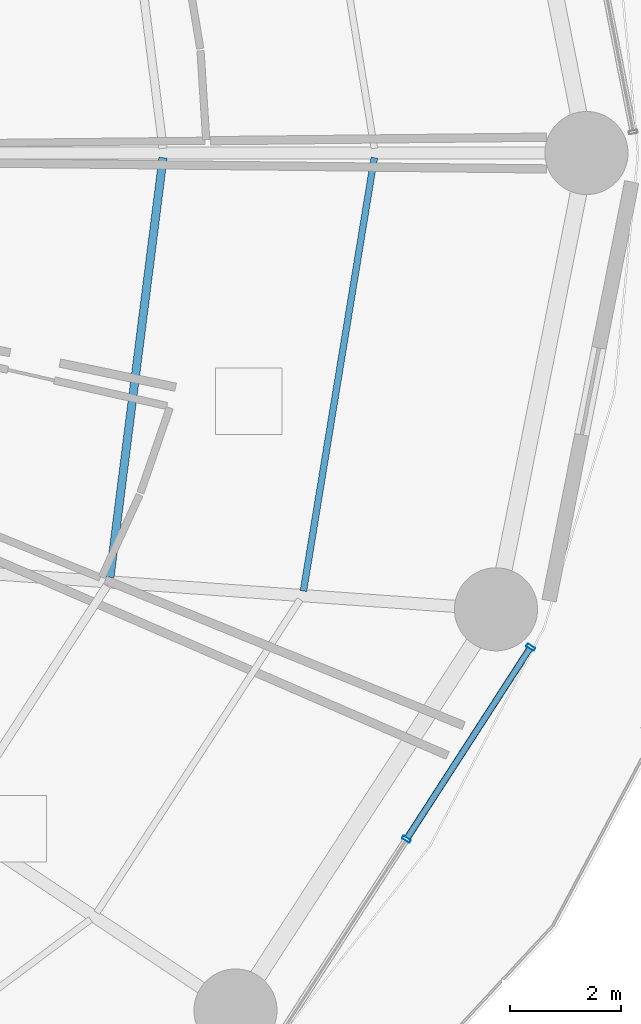
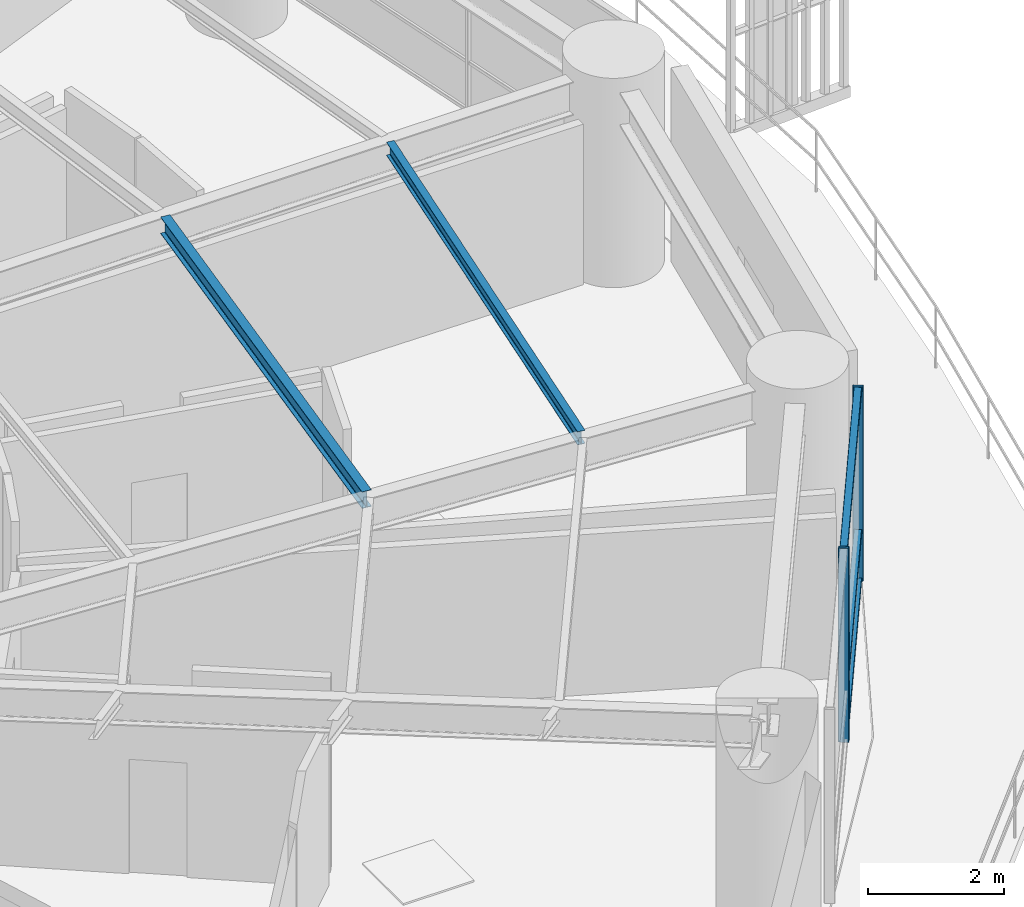
# One storey, part 12 of 33: 5 members, 2 beams, 1 element without a shape of its own.
"""IFC4 building model written with IfcOpenShell, lengths in metres."""

from ifc_helpers import new_model, si_unit, direction, frame, origin, origin_2d, place, context, subcontext, project, spatial, hollow_rectangle, i_section, extrude, material, layer, layer_set, material_profile, profile_set, type_object, element, aggregate, save


model = new_model("IFC4")

# Units and contexts
model_context = context("Model", 3, precision=1e-05, world=origin(), true_north=direction((0.0, 1.0)))
body_context = subcontext(model_context, "Body", "Model", "MODEL_VIEW")
ifc_project = project(units=[si_unit("LENGTHUNIT", "METRE"), si_unit("AREAUNIT", "SQUARE_METRE"), si_unit("VOLUMEUNIT", "CUBIC_METRE"), si_unit("PLANEANGLEUNIT", "RADIAN"), si_unit("MASSUNIT", "GRAM", prefix="KILO")], contexts=[model_context])

# Site, building, storey
site_placement = place(None, origin())
site = spatial("IfcSite", under=ifc_project, at=site_placement, CompositionType="ELEMENT")
building_placement = place(site_placement, origin())
building = spatial("IfcBuilding", under=site, at=building_placement, Name="Kelanora Arch Commons", CompositionType="ELEMENT")
storey_placement = place(building_placement, frame((0.0, 0.0, 26.25)))
storey = spatial("IfcBuildingStorey", under=building, at=storey_placement, Name="L06", CompositionType="ELEMENT", Elevation=26.25)

# Beams
ifc_material_1 = material(Name="Steel S355", Category="steel")
ifc_material_profile_1 = material_profile(ifc_material_1, i_section(OverallWidth=0.14990234375, OverallDepth=0.300048828125, WebThickness=0.007080078125, FlangeThickness=0.0107421875, FilletRadius=0.014892578125, at=origin_2d()), Name="IPE300")
ifc_profile_set_1 = profile_set([ifc_material_profile_1], Name="Steel S355")
beam_type_1 = type_object("IfcBeamType", Name="BM-JST-01", PredefinedType="JOIST", material=ifc_profile_set_1)
beam_1_placement = place(storey_placement, frame((92.478759765625, 50.3427734375, 3.340087890625), z_axis=(0.125565841651, 0.992085288375, 0.0), x_axis=(-0.992085288375, 0.125565841651, 0.0)))
element("IfcBeam", 1, at=beam_1_placement, inside=storey, type_object=beam_type_1, Name="Secondary Chord Joist BJB-34 L06", PredefinedType="JOIST", context=body_context, shape_type="SweptSolid", body=[
    extrude(i_section(OverallWidth=0.14990234375, OverallDepth=0.300048828125, WebThickness=0.007080078125, FlangeThickness=0.0107421875, FilletRadius=0.014892578125, at=origin_2d()), origin(), (0.0, 0.0, 1.0), 7.63330078125),
])
ifc_material_profile_2 = material_profile(ifc_material_1, i_section(OverallWidth=0.1201171875, OverallDepth=0.239990234375, WebThickness=0.006103515625, FlangeThickness=0.009765625, FilletRadius=0.014892578125, at=origin_2d()), Name="IPE240")
ifc_profile_set_2 = profile_set([ifc_material_profile_2], Name="Steel S355")
beam_type_2 = type_object("IfcBeamType", Name="BM-JST-02", PredefinedType="JOIST", material=ifc_profile_set_2)
beam_2_placement = place(storey_placement, frame((95.97119140625, 50.09521484375, 3.3701171875), z_axis=(0.161400737199, 0.986888951216, 0.0), x_axis=(-0.986888951216, 0.161400737199, 0.0)))
element("IfcBeam", 2, at=beam_2_placement, inside=storey, type_object=beam_type_2, Name="Secondary Chord Joist BJC-34 L06", PredefinedType="JOIST", context=body_context, shape_type="SweptSolid", body=[
    extrude(i_section(OverallWidth=0.1201171875, OverallDepth=0.239990234375, WebThickness=0.006103515625, FlangeThickness=0.009765625, FilletRadius=0.014892578125, at=origin_2d()), origin(), (0.0, 0.0, 1.0), 7.9248046875),
])

# Curtain wall, members
ifc_material_2 = material(Name="Terracotta ceramic-fritted low-E glass and aluminium", Category="masonry")
ifc_layer = layer(ifc_material_2, 0.159912109375)
ifc_layer_set = layer_set([ifc_layer], Name="Terracotta ceramic-fritted low-E glass and aluminium")
curtain_wall_type = type_object("IfcCurtainWallType", Name="CW-SYS-01", PredefinedType="NOTDEFINED", material=ifc_layer_set)
curtain_wall_placement = place(storey_placement, origin())
curtain_wall = element("IfcCurtainWall", 3, at=curtain_wall_placement, inside=storey, type_object=curtain_wall_type, Name="Unitised Curtain Wall L06-B16", PredefinedType="NOTDEFINED")
ifc_material_3 = material(Name="Powder-coated aluminium terracotta", Category="masonry")
ifc_material_profile_3 = material_profile(ifc_material_3, hollow_rectangle(XDim=0.159912109375, YDim=0.06005859375, WallThickness=0.0048828125, InnerFilletRadius=0.0048828125, OuterFilletRadius=0.010009765625, at=origin_2d()), Name="CWM160x60")
ifc_profile_set_3 = profile_set([ifc_material_profile_3], Name="Powder-coated aluminium terracotta")
member_type_1 = type_object("IfcMemberType", Name="CWM-STD", PredefinedType="MULLION", material=ifc_profile_set_3)
member_1_placement = place(storey_placement, frame((97.830810546875, 45.61328125, 0.0), z_axis=(0.0, 0.0, 1.0), x_axis=(-0.83972982332, 0.543004441812, 0.0)))
member_1 = element("IfcMember", 4, at=member_1_placement, type_object=member_type_1, Name="CW-01 mullion 2", PredefinedType="MULLION", context=body_context, shape_type="SweptSolid", body=[
    extrude(hollow_rectangle(XDim=0.159912109375, YDim=0.06005859375, WallThickness=0.0048828125, InnerFilletRadius=0.0048828125, OuterFilletRadius=0.010009765625, at=origin_2d()), origin(), (0.0, 0.0, 1.0), 3.47509765625),
])
member_2_placement = place(storey_placement, frame((100.072265625, 49.07958984375, 0.0), z_axis=(0.0, 0.0, 1.0), x_axis=(-0.83972982332, 0.543004441812, 0.0)))
member_2 = element("IfcMember", 5, at=member_2_placement, type_object=member_type_1, Name="CW-01 mullion 3", PredefinedType="MULLION", context=body_context, shape_type="SweptSolid", body=[
    extrude(hollow_rectangle(XDim=0.159912109375, YDim=0.06005859375, WallThickness=0.0048828125, InnerFilletRadius=0.0048828125, OuterFilletRadius=0.010009765625, at=origin_2d()), origin(), (0.0, 0.0, 1.0), 3.47509765625),
])
ifc_material_profile_4 = material_profile(ifc_material_3, hollow_rectangle(XDim=0.1201171875, YDim=0.06005859375, WallThickness=0.0048828125, InnerFilletRadius=0.0048828125, OuterFilletRadius=0.010009765625, at=origin_2d()), Name="CWT120x60")
ifc_profile_set_4 = profile_set([ifc_material_profile_4], Name="Powder-coated aluminium terracotta")
member_type_2 = type_object("IfcMemberType", Name="CWT-STD", PredefinedType="USERDEFINED", material=ifc_profile_set_4)
member_3_placement = place(storey_placement, frame((97.84716796875, 45.638671875, 0.030029296875), z_axis=(0.542997414293, 0.839734367566, 0.0), x_axis=(-0.839734367566, 0.542997414293, 0.0)))
member_3 = element("IfcMember", 6, at=member_3_placement, type_object=member_type_2, Name="CW-01 transom 2.1", ObjectType="TRANSOM", PredefinedType="USERDEFINED", context=body_context, shape_type="SweptSolid", body=[
    extrude(hollow_rectangle(XDim=0.1201171875, YDim=0.06005859375, WallThickness=0.0048828125, InnerFilletRadius=0.0048828125, OuterFilletRadius=0.010009765625, at=origin_2d()), origin(), (0.0, 0.0, 1.0), 4.067626953125),
])
member_4_placement = place(storey_placement, frame((97.84716796875, 45.638671875, 0.89990234375), z_axis=(0.542997414293, 0.839734367566, 0.0), x_axis=(-0.839734367566, 0.542997414293, 0.0)))
member_4 = element("IfcMember", 7, at=member_4_placement, type_object=member_type_2, Name="CW-01 transom 2.2", ObjectType="TRANSOM", PredefinedType="USERDEFINED", context=body_context, shape_type="SweptSolid", body=[
    extrude(hollow_rectangle(XDim=0.1201171875, YDim=0.06005859375, WallThickness=0.0048828125, InnerFilletRadius=0.0048828125, OuterFilletRadius=0.010009765625, at=origin_2d()), origin(), (0.0, 0.0, 1.0), 4.067626953125),
])
member_5_placement = place(storey_placement, frame((97.84716796875, 45.638671875, 3.445068359375), z_axis=(0.542997414293, 0.839734367566, 0.0), x_axis=(-0.839734367566, 0.542997414293, 0.0)))
member_5 = element("IfcMember", 8, at=member_5_placement, type_object=member_type_2, Name="CW-01 transom 2.3", ObjectType="TRANSOM", PredefinedType="USERDEFINED", context=body_context, shape_type="SweptSolid", body=[
    extrude(hollow_rectangle(XDim=0.1201171875, YDim=0.06005859375, WallThickness=0.0048828125, InnerFilletRadius=0.0048828125, OuterFilletRadius=0.010009765625, at=origin_2d()), origin(), (0.0, 0.0, 1.0), 4.067626953125),
])
aggregate(curtain_wall, [member_1, member_2, member_3, member_4, member_5])

save(model, "model.ifc")
